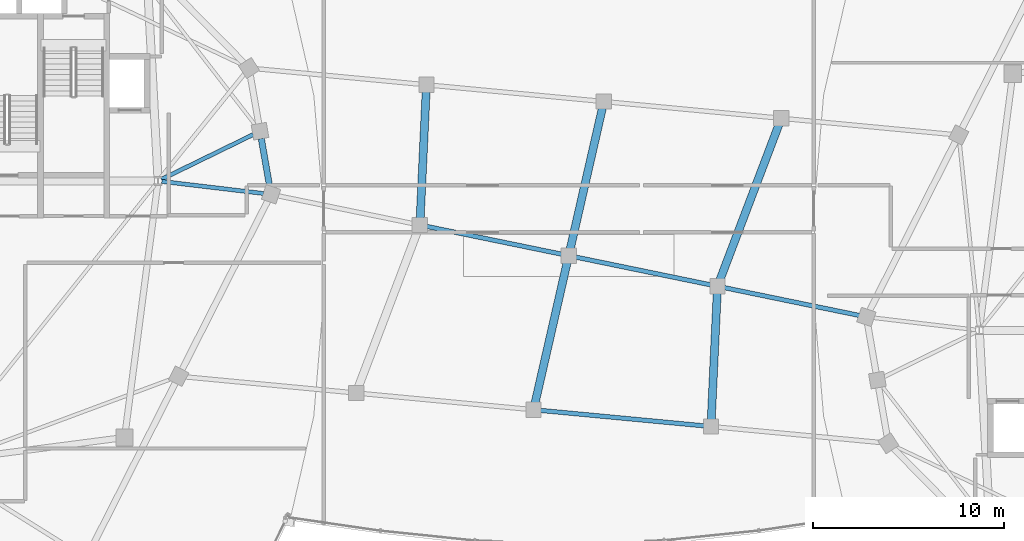
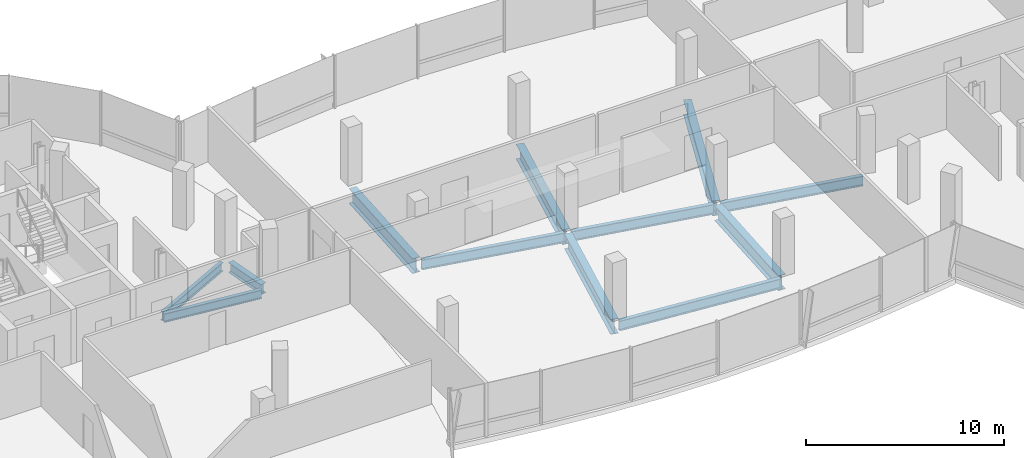
# One storey, part 5 of 25: 12 beams.
"""IFC4 building model written with IfcOpenShell, lengths in metres."""

from ifc_helpers import new_model, si_unit, direction, frame, origin, origin_2d, place, context, subcontext, project, spatial, i_section, extrude, material, material_profile, profile_set, type_object, element, save


model = new_model("IFC4")

# Units and contexts
model_context = context("Model", 3, precision=1e-05, world=origin(), true_north=direction((0.0, 1.0)))
body_context = subcontext(model_context, "Body", "Model", "MODEL_VIEW")
ifc_project = project(units=[si_unit("LENGTHUNIT", "METRE"), si_unit("AREAUNIT", "SQUARE_METRE"), si_unit("VOLUMEUNIT", "CUBIC_METRE"), si_unit("PLANEANGLEUNIT", "RADIAN"), si_unit("MASSUNIT", "GRAM", prefix="KILO"), si_unit("THERMODYNAMICTEMPERATUREUNIT", "KELVIN"), si_unit("POWERUNIT", "WATT")], contexts=[model_context])

# Site, building, storey
site_placement = place(None, origin())
site = spatial("IfcSite", under=ifc_project, at=site_placement, CompositionType="ELEMENT")
building_placement = place(site_placement, origin())
building = spatial("IfcBuilding", under=site, at=building_placement, Name="Cundina Bronze Exchange", CompositionType="ELEMENT")
storey_placement = place(building_placement, frame((0.0, 0.0, 254.0)))
storey = spatial("IfcBuildingStorey", under=building, at=storey_placement, Name="L67", CompositionType="ELEMENT", Elevation=254.0)

# Beams
ifc_material = material(Name="Steel ASTM A992 Grade 50", Category="steel")
ifc_material_profile_1 = material_profile(ifc_material, i_section(OverallWidth=0.2119140625, OverallDepth=0.5439453125, WebThickness=0.01318359375, FlangeThickness=0.021240234375, FilletRadius=0.013916015625, at=origin_2d()), Name="W21X83", Category="steel")
ifc_profile_set_1 = profile_set([ifc_material_profile_1], Name="Steel ASTM A992 Grade 50")
beam_type_1 = type_object("IfcBeamType", Name="BM-FLR-W21A", PredefinedType="BEAM", material=ifc_profile_set_1)
beam_1_placement = place(storey_placement, frame((-21.25537109375, 3.876953125, -0.531982421875), z_axis=(0.993031892142, -0.117845921393, 0.0), x_axis=(0.117845921393, 0.993031892142, 0.0)))
element("IfcBeam", 1, at=beam_1_placement, inside=storey, type_object=beam_type_1, Name="L67 Leg W Radial Floor Beam 00", PredefinedType="BEAM", context=body_context, shape_type="SweptSolid", body=[
    extrude(i_section(OverallWidth=0.2119140625, OverallDepth=0.5439453125, WebThickness=0.01318359375, FlangeThickness=0.021240234375, FilletRadius=0.013916015625, at=origin_2d()), origin(), (0.0, 0.0, 1.0), 5.357421875),
])
beam_2_placement = place(storey_placement, frame((-21.27392578125, 3.986083984375, -0.531982421875), z_axis=(0.898610260891, 0.438747762412, 0.0), x_axis=(-0.438747762412, 0.898610260891, 0.0)))
element("IfcBeam", 2, at=beam_2_placement, inside=storey, type_object=beam_type_1, Name="L67 Leg W Radial Floor Beam 01", PredefinedType="BEAM", context=body_context, shape_type="SweptSolid", body=[
    extrude(i_section(OverallWidth=0.2119140625, OverallDepth=0.5439453125, WebThickness=0.01318359375, FlangeThickness=0.021240234375, FilletRadius=0.013916015625, at=origin_2d()), origin(), (0.0, 0.0, 1.0), 5.341796875),
])
ifc_material_profile_2 = material_profile(ifc_material, i_section(OverallWidth=0.22998046875, OverallDepth=0.616943359375, WebThickness=0.01318359375, FlangeThickness=0.022216796875, FilletRadius=0.013916015625, at=origin_2d()), Name="W24X94", Category="steel")
ifc_profile_set_2 = profile_set([ifc_material_profile_2], Name="Steel ASTM A992 Grade 50")
beam_type_2 = type_object("IfcBeamType", Name="BM-FLR-W24B", PredefinedType="BEAM", material=ifc_profile_set_2)
beam_3_placement = place(storey_placement, frame((-1.658203125, -8.06689453125, -0.62841796875), z_axis=(0.995572136276, -0.094000646124, 0.0), x_axis=(0.094000646124, 0.995572136276, 0.0)))
element("IfcBeam", 3, at=beam_3_placement, inside=storey, type_object=beam_type_2, Name="L67 Sky-Gate Longitudinal Girder Y1-P3", PredefinedType="BEAM", context=body_context, shape_type="SweptSolid", body=[
    extrude(i_section(OverallWidth=0.22998046875, OverallDepth=0.616943359375, WebThickness=0.01318359375, FlangeThickness=0.022216796875, FilletRadius=0.013916015625, at=origin_2d()), origin(), (0.0, 0.0, 1.0), 8.949951171875),
])
for number, where, z_axis, x_axis, name in (
    (4, (-7.5986328125, 1.563720703125, -0.62841796875), (0.979477625294, -0.201552924934, 0.0), (0.201552924934, 0.979477625294, 0.0), "L67 Sky-Gate Longitudinal Girder Y2-P2"),
    (5, (0.17626953125, -0.036376953125, -0.62841796875), (0.979477625294, -0.201552924934, 0.0), (0.201552924934, 0.979477625294, 0.0), "L67 Sky-Gate Longitudinal Girder Y2-P3"),
    (6, (7.951416015625, -1.63623046875, -0.62841796875), (0.979471264571, -0.20158383338, 0.0), (0.20158383338, 0.979471264571, 0.0), "L67 Sky-Gate Longitudinal Girder Y2-P4"),
):
    element("IfcBeam", number, at=place(storey_placement, frame(where, z_axis=z_axis, x_axis=x_axis)), inside=storey, type_object=beam_type_2, Name=name, PredefinedType="BEAM", context=body_context, shape_type="SweptSolid", body=[
        extrude(i_section(OverallWidth=0.22998046875, OverallDepth=0.616943359375, WebThickness=0.01318359375, FlangeThickness=0.022216796875, FilletRadius=0.013916015625, at=origin_2d()), origin(), (0.0, 0.0, 1.0), 7.577880859375),
    ])
ifc_material_profile_3 = material_profile(ifc_material, i_section(OverallWidth=0.324951171875, OverallDepth=0.615966796875, WebThickness=0.013916015625, FlangeThickness=0.021484375, FilletRadius=0.01611328125, at=origin_2d()), Name="W24X117", Category="steel")
ifc_profile_set_3 = profile_set([ifc_material_profile_3], Name="Steel ASTM A992 Grade 50")
beam_type_3 = type_object("IfcBeamType", Name="BM-RING-W24", PredefinedType="USERDEFINED", material=ifc_profile_set_3)
beam_4_placement = place(storey_placement, frame((-15.61669921875, 3.582275390625, -0.568115234375), z_axis=(-0.171593362587, 0.985167862811, 0.0), x_axis=(-0.985167862811, -0.171593362587, 0.0)))
element("IfcBeam", 7, at=beam_4_placement, inside=storey, type_object=beam_type_3, Name="L67 W Perimeter Ring Girder 00", ObjectType="GIRDER", PredefinedType="USERDEFINED", context=body_context, shape_type="SweptSolid", body=[
    extrude(i_section(OverallWidth=0.324951171875, OverallDepth=0.615966796875, WebThickness=0.013916015625, FlangeThickness=0.021484375, FilletRadius=0.01611328125, at=origin_2d()), origin(), (0.0, 0.0, 1.0), 2.57373046875),
])
ifc_material_profile_4 = material_profile(ifc_material, i_section(OverallWidth=0.41796875, OverallDepth=0.927001953125, WebThickness=0.019287109375, FlangeThickness=0.031982421875, FilletRadius=0.02392578125, at=origin_2d()), Name="W36X231", Category="steel")
ifc_profile_set_4 = profile_set([ifc_material_profile_4], Name="Steel ASTM A992 Grade 50")
beam_type_4 = type_object("IfcBeamType", Name="BM-WRN-W36B", PredefinedType="USERDEFINED", material=ifc_profile_set_4)
beam_5_placement = place(storey_placement, frame((-7.7666015625, 1.77978515625, -0.783447265625), z_axis=(0.046881448177, 0.998900460415, 0.0), x_axis=(-0.998900460415, 0.046881448177, 0.0)))
element("IfcBeam", 8, at=beam_5_placement, inside=storey, type_object=beam_type_4, Name="L67 Sky-Gate Transverse Girder X1-N", ObjectType="GIRDER", PredefinedType="USERDEFINED", context=body_context, shape_type="SweptSolid", body=[
    extrude(i_section(OverallWidth=0.41796875, OverallDepth=0.927001953125, WebThickness=0.019287109375, FlangeThickness=0.031982421875, FilletRadius=0.02392578125, at=origin_2d()), origin(), (0.0, 0.0, 1.0), 6.972900390625),
])
for number, where, z_axis, x_axis, name in (
    (9, (-1.79736328125, -7.87451171875, -0.783447265625), (0.222530984599, 0.974925618134, 0.0), (-0.974925618134, 0.222530984599, 0.0), "L67 Sky-Gate Transverse Girder X2-S"),
    (10, (0.0400390625, 0.175537109375, -0.783447265625), (0.222530984599, 0.974925618134, 0.0), (-0.974925618134, 0.222530984599, 0.0), "L67 Sky-Gate Transverse Girder X2-N"),
):
    element("IfcBeam", number, at=place(storey_placement, frame(where, z_axis=z_axis, x_axis=x_axis)), inside=storey, type_object=beam_type_4, Name=name, ObjectType="GIRDER", PredefinedType="USERDEFINED", context=body_context, shape_type="SweptSolid", body=[
        extrude(i_section(OverallWidth=0.41796875, OverallDepth=0.927001953125, WebThickness=0.019287109375, FlangeThickness=0.031982421875, FilletRadius=0.02392578125, at=origin_2d()), origin(), (0.0, 0.0, 1.0), 7.89697265625),
    ])
beam_6_placement = place(storey_placement, frame((7.439697265625, -8.7451171875, -0.783447265625), z_axis=(0.046881448177, 0.998900460415, 0.0), x_axis=(-0.998900460415, 0.046881448177, 0.0)))
element("IfcBeam", 11, at=beam_6_placement, inside=storey, type_object=beam_type_4, Name="L67 Sky-Gate Transverse Girder X3-S", ObjectType="GIRDER", PredefinedType="USERDEFINED", context=body_context, shape_type="SweptSolid", body=[
    extrude(i_section(OverallWidth=0.41796875, OverallDepth=0.927001953125, WebThickness=0.019287109375, FlangeThickness=0.031982421875, FilletRadius=0.02392578125, at=origin_2d()), origin(), (0.0, 0.0, 1.0), 6.972900390625),
])
beam_7_placement = place(storey_placement, frame((7.8388671875, -1.431640625, -0.783447265625), z_axis=(0.354935532146, 0.934890778658, 0.0), x_axis=(-0.934890778658, 0.354935532146, 0.0)))
element("IfcBeam", 12, at=beam_7_placement, inside=storey, type_object=beam_type_4, Name="L67 Sky-Gate Transverse Girder X3-N", ObjectType="GIRDER", PredefinedType="USERDEFINED", context=body_context, shape_type="SweptSolid", body=[
    extrude(i_section(OverallWidth=0.41796875, OverallDepth=0.927001953125, WebThickness=0.019287109375, FlangeThickness=0.031982421875, FilletRadius=0.02392578125, at=origin_2d()), origin(), (0.0, 0.0, 1.0), 9.02587890625),
])

save(model, "model.ifc")
